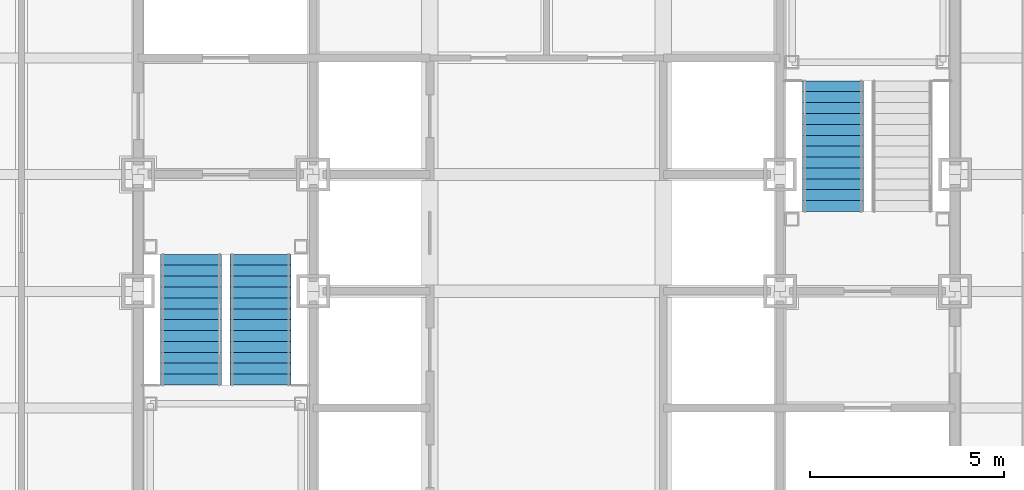
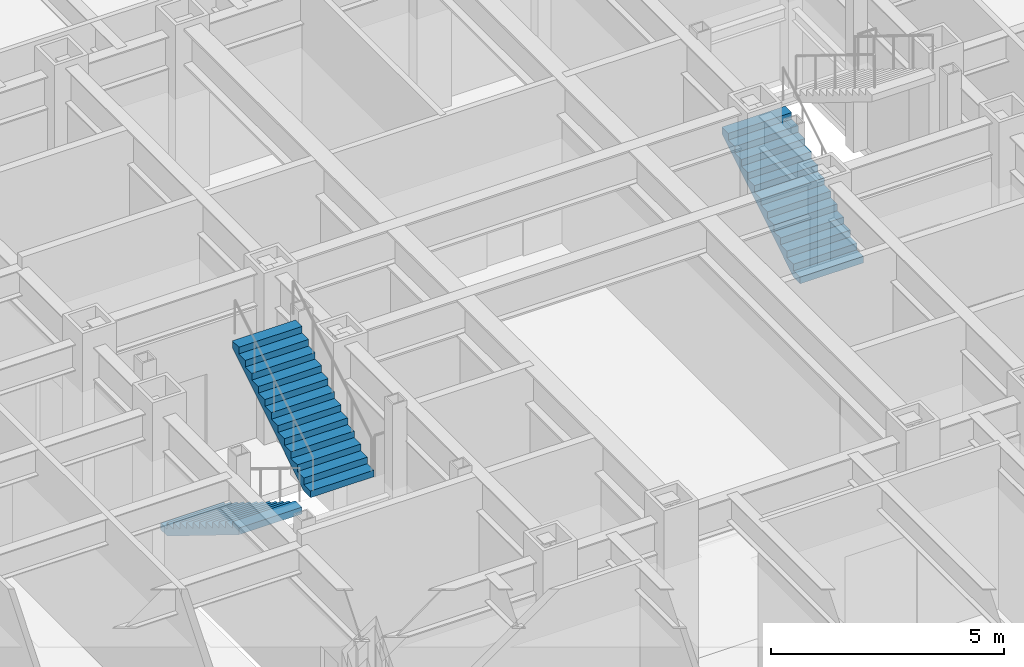
# One storey, part 12 of 17: 3 stair flights, 2 elements without a shape of their own.
"""IFC4 building model written with IfcOpenShell, lengths in metres."""

from ifc_helpers import new_model, si_unit, direction, frame, origin, place, context, subcontext, project, spatial, faceted_brep, material, type_object, element, aggregate, save


model = new_model("IFC4")

# Units and contexts
model_context = context("Model", 3, precision=1e-05, world=origin(), true_north=direction((0.0, 1.0)))
body_context = subcontext(model_context, "Body", "Model", "MODEL_VIEW")
ifc_project = project(units=[si_unit("LENGTHUNIT", "METRE"), si_unit("AREAUNIT", "SQUARE_METRE"), si_unit("VOLUMEUNIT", "CUBIC_METRE"), si_unit("PLANEANGLEUNIT", "RADIAN"), si_unit("MASSUNIT", "GRAM", prefix="KILO")], contexts=[model_context])

# Site, building, storey
site_placement = place(None, origin())
site = spatial("IfcSite", under=ifc_project, at=site_placement, CompositionType="ELEMENT")
building_placement = place(site_placement, origin())
building = spatial("IfcBuilding", under=site, at=building_placement, Name="Chuquiago Exchange Tower", CompositionType="ELEMENT")
storey_placement = place(building_placement, frame((0.0, 0.0, 64.800048828125)))
storey = spatial("IfcBuildingStorey", under=building, at=storey_placement, Name="L13", CompositionType="ELEMENT", Elevation=64.800048828125)

# Stair, stair flights
ifc_material_1 = material(Name="Concrete C30/37, precast", Category="concrete")
stair_type_1 = type_object("IfcStairType", Name="ST1 half-turn stair 4500", PredefinedType="HALF_TURN_STAIR", material=ifc_material_1)
stair_1_placement = place(storey_placement, origin())
stair_1 = element("IfcStair", 1, at=stair_1_placement, inside=storey, type_object=stair_type_1, Name="Stair ST1 L13", PredefinedType="HALF_TURN_STAIR")
ifc_material_2 = material(Name="Concrete C30/37, precast", Category="concrete")
stair_flight_type = type_object("IfcStairFlightType", Name="ST-F flight 1570 for 4500 storey", PredefinedType="STRAIGHT", material=ifc_material_2)
stair_flight_1_placement = place(storey_placement, frame((13.360107421875, 21.949951171875, 0.0), z_axis=(0.0, 0.0, 1.0), x_axis=(0.0, -1.0, 0.0)))
stair_flight_1 = element("IfcStairFlight", 2, at=stair_flight_1_placement, type_object=stair_flight_type, Name="ST1 flight 1", NumberOfRisers=13, NumberOfTreads=12, PredefinedType="STRAIGHT", RiserHeight=0.173076923, TreadLength=0.28, context=body_context, shape_type="Brep", body=[
    faceted_brep([(0.0, 0.78515625, 0.0), (0.0, 0.78515625, 0.173095703125), (0.280029296875, 0.78515625, 0.173095703125), (0.280029296875, 0.78515625, 0.34619140625), (0.56005859375, 0.78515625, 0.34619140625), (0.56005859375, 0.78515625, 0.519287109375), (0.840087890625, 0.78515625, 0.519287109375), (0.840087890625, 0.78515625, 0.6923828125), (1.1201171875, 0.78515625, 0.6923828125), (1.1201171875, 0.78515625, 0.865478515625), (1.39990234375, 0.78515625, 0.865478515625), (1.39990234375, 0.78515625, 1.03857421875), (1.679931640625, 0.78515625, 1.03857421875), (1.679931640625, 0.78515625, 1.21142578125), (1.9599609375, 0.78515625, 1.21142578125), (1.9599609375, 0.78515625, 1.384521484375), (2.239990234375, 0.78515625, 1.384521484375), (2.239990234375, 0.78515625, 1.5576171875), (2.52001953125, 0.78515625, 1.5576171875), (2.52001953125, 0.78515625, 1.730712890625), (2.800048828125, 0.78515625, 1.730712890625), (2.800048828125, 0.78515625, 1.90380859375), (3.080078125, 0.78515625, 1.90380859375), (3.080078125, 0.78515625, 2.076904296875), (3.360107421875, 0.78515625, 2.076904296875), (3.360107421875, 0.78515625, 1.900634765625), (0.28515625, 0.78515625, 0.0), (0.28515625, -0.78515625, 0.0), (3.360107421875, -0.78515625, 1.900634765625), (3.360107421875, -0.78515625, 2.076904296875), (3.080078125, -0.78515625, 2.076904296875), (3.080078125, -0.78515625, 1.90380859375), (2.800048828125, -0.78515625, 1.90380859375), (2.800048828125, -0.78515625, 1.730712890625), (2.52001953125, -0.78515625, 1.730712890625), (2.52001953125, -0.78515625, 1.5576171875), (2.239990234375, -0.78515625, 1.5576171875), (2.239990234375, -0.78515625, 1.384521484375), (1.9599609375, -0.78515625, 1.384521484375), (1.9599609375, -0.78515625, 1.21142578125), (1.679931640625, -0.78515625, 1.21142578125), (1.679931640625, -0.78515625, 1.03857421875), (1.39990234375, -0.78515625, 1.03857421875), (1.39990234375, -0.78515625, 0.865478515625), (1.1201171875, -0.78515625, 0.865478515625), (1.1201171875, -0.78515625, 0.6923828125), (0.840087890625, -0.78515625, 0.6923828125), (0.840087890625, -0.78515625, 0.519287109375), (0.56005859375, -0.78515625, 0.519287109375), (0.56005859375, -0.78515625, 0.34619140625), (0.280029296875, -0.78515625, 0.34619140625), (0.280029296875, -0.78515625, 0.173095703125), (0.0, -0.78515625, 0.173095703125), (0.0, -0.78515625, 0.0), (0.0, 0.392578125, 0.0), (0.0, 0.392578125, 0.173095703125), (0.0, 0.0, 0.0), (0.0, 0.0, 0.173095703125), (0.0, -0.392578125, 0.0), (0.0, -0.392578125, 0.173095703125), (0.280029296875, 0.392578125, 0.173095703125), (0.280029296875, 0.0, 0.173095703125), (0.280029296875, -0.392578125, 0.173095703125), (0.280029296875, 0.392578125, 0.34619140625), (0.280029296875, 0.0, 0.34619140625), (0.280029296875, -0.392578125, 0.34619140625), (0.56005859375, 0.392578125, 0.34619140625), (0.56005859375, 0.0, 0.34619140625), (0.56005859375, -0.392578125, 0.34619140625), (0.56005859375, 0.392578125, 0.519287109375), (0.56005859375, 0.0, 0.519287109375), (0.56005859375, -0.392578125, 0.519287109375), (0.840087890625, 0.392578125, 0.519287109375), (0.840087890625, 0.0, 0.519287109375), (0.840087890625, -0.392578125, 0.519287109375), (0.840087890625, 0.392578125, 0.6923828125), (0.840087890625, 0.0, 0.6923828125), (0.840087890625, -0.392578125, 0.6923828125), (1.1201171875, 0.392578125, 0.6923828125), (1.1201171875, 0.0, 0.6923828125), (1.1201171875, -0.392578125, 0.6923828125), (1.1201171875, 0.392578125, 0.865478515625), (1.1201171875, 0.0, 0.865478515625), (1.1201171875, -0.392578125, 0.865478515625), (1.39990234375, 0.392578125, 0.865478515625), (1.39990234375, 0.0, 0.865478515625), (1.39990234375, -0.392578125, 0.865478515625), (1.39990234375, 0.392578125, 1.03857421875), (1.39990234375, 0.0, 1.03857421875), (1.39990234375, -0.392578125, 1.03857421875), (1.679931640625, 0.392578125, 1.03857421875), (1.679931640625, 0.0, 1.03857421875), (1.679931640625, -0.392578125, 1.03857421875), (1.679931640625, 0.392578125, 1.21142578125), (1.679931640625, 0.0, 1.21142578125), (1.679931640625, -0.392578125, 1.21142578125), (1.9599609375, 0.392578125, 1.21142578125), (1.9599609375, 0.0, 1.21142578125), (1.9599609375, -0.392578125, 1.21142578125), (1.9599609375, 0.392578125, 1.384521484375), (1.9599609375, 0.0, 1.384521484375), (1.9599609375, -0.392578125, 1.384521484375), (2.239990234375, 0.392578125, 1.384521484375), (2.239990234375, 0.0, 1.384521484375), (2.239990234375, -0.392578125, 1.384521484375), (2.239990234375, 0.392578125, 1.5576171875), (2.239990234375, 0.0, 1.5576171875), (2.239990234375, -0.392578125, 1.5576171875), (2.52001953125, 0.392578125, 1.5576171875), (2.52001953125, 0.0, 1.5576171875), (2.52001953125, -0.392578125, 1.5576171875), (2.52001953125, 0.392578125, 1.730712890625), (2.52001953125, 0.0, 1.730712890625), (2.52001953125, -0.392578125, 1.730712890625), (2.800048828125, 0.392578125, 1.730712890625), (2.800048828125, 0.0, 1.730712890625), (2.800048828125, -0.392578125, 1.730712890625), (2.800048828125, 0.392578125, 1.90380859375), (2.800048828125, 0.0, 1.90380859375), (2.800048828125, -0.392578125, 1.90380859375), (3.080078125, 0.392578125, 1.90380859375), (3.080078125, 0.0, 1.90380859375), (3.080078125, -0.392578125, 1.90380859375), (3.080078125, 0.392578125, 2.076904296875), (3.080078125, 0.0, 2.076904296875), (3.080078125, -0.392578125, 2.076904296875), (3.360107421875, 0.392578125, 2.076904296875), (3.360107421875, 0.0, 2.076904296875), (3.360107421875, -0.392578125, 2.076904296875), (3.360107421875, 0.392578125, 1.900634765625), (3.360107421875, 0.0, 1.900634765625), (3.360107421875, -0.392578125, 1.900634765625), (0.28515625, 0.392578125, 0.0), (0.28515625, 0.0, 0.0), (0.28515625, -0.392578125, 0.0)], [[[0, 1, 2, 3, 4, 5, 6, 7, 8, 9, 10, 11, 12, 13, 14, 15, 16, 17, 18, 19, 20, 21, 22, 23, 24, 25, 26]], [[27, 28, 29, 30, 31, 32, 33, 34, 35, 36, 37, 38, 39, 40, 41, 42, 43, 44, 45, 46, 47, 48, 49, 50, 51, 52, 53]], [[1, 0, 54, 55]], [[55, 54, 56, 57]], [[57, 56, 58, 59]], [[59, 58, 53, 52]], [[2, 1, 55, 60]], [[60, 55, 57, 61]], [[61, 57, 59, 62]], [[62, 59, 52, 51]], [[3, 2, 60, 63]], [[63, 60, 61, 64]], [[64, 61, 62, 65]], [[65, 62, 51, 50]], [[4, 3, 63, 66]], [[66, 63, 64, 67]], [[67, 64, 65, 68]], [[68, 65, 50, 49]], [[5, 4, 66, 69]], [[69, 66, 67, 70]], [[70, 67, 68, 71]], [[71, 68, 49, 48]], [[6, 5, 69, 72]], [[72, 69, 70, 73]], [[73, 70, 71, 74]], [[74, 71, 48, 47]], [[7, 6, 72, 75]], [[75, 72, 73, 76]], [[76, 73, 74, 77]], [[77, 74, 47, 46]], [[8, 7, 75, 78]], [[78, 75, 76, 79]], [[79, 76, 77, 80]], [[80, 77, 46, 45]], [[9, 8, 78, 81]], [[81, 78, 79, 82]], [[82, 79, 80, 83]], [[83, 80, 45, 44]], [[10, 9, 81, 84]], [[84, 81, 82, 85]], [[85, 82, 83, 86]], [[86, 83, 44, 43]], [[11, 10, 84, 87]], [[87, 84, 85, 88]], [[88, 85, 86, 89]], [[89, 86, 43, 42]], [[12, 11, 87, 90]], [[90, 87, 88, 91]], [[91, 88, 89, 92]], [[92, 89, 42, 41]], [[13, 12, 90, 93]], [[93, 90, 91, 94]], [[94, 91, 92, 95]], [[95, 92, 41, 40]], [[14, 13, 93, 96]], [[96, 93, 94, 97]], [[97, 94, 95, 98]], [[98, 95, 40, 39]], [[15, 14, 96, 99]], [[99, 96, 97, 100]], [[100, 97, 98, 101]], [[101, 98, 39, 38]], [[16, 15, 99, 102]], [[102, 99, 100, 103]], [[103, 100, 101, 104]], [[104, 101, 38, 37]], [[17, 16, 102, 105]], [[105, 102, 103, 106]], [[106, 103, 104, 107]], [[107, 104, 37, 36]], [[18, 17, 105, 108]], [[108, 105, 106, 109]], [[109, 106, 107, 110]], [[110, 107, 36, 35]], [[19, 18, 108, 111]], [[111, 108, 109, 112]], [[112, 109, 110, 113]], [[113, 110, 35, 34]], [[20, 19, 111, 114]], [[114, 111, 112, 115]], [[115, 112, 113, 116]], [[116, 113, 34, 33]], [[21, 20, 114, 117]], [[117, 114, 115, 118]], [[118, 115, 116, 119]], [[119, 116, 33, 32]], [[22, 21, 117, 120]], [[120, 117, 118, 121]], [[121, 118, 119, 122]], [[122, 119, 32, 31]], [[23, 22, 120, 123]], [[123, 120, 121, 124]], [[124, 121, 122, 125]], [[125, 122, 31, 30]], [[24, 23, 123, 126]], [[126, 123, 124, 127]], [[127, 124, 125, 128]], [[128, 125, 30, 29]], [[25, 24, 126, 129]], [[129, 126, 127, 130]], [[130, 127, 128, 131]], [[131, 128, 29, 28]], [[26, 25, 129, 132]], [[132, 129, 130, 133]], [[133, 130, 131, 134]], [[134, 131, 28, 27]], [[0, 26, 132, 54]], [[54, 132, 133, 56]], [[56, 133, 134, 58]], [[58, 134, 27, 53]]]),
])
stair_flight_2_placement = place(storey_placement, frame((15.139892578125, 18.590087890625, 2.25), z_axis=(0.0, 0.0, 1.0), x_axis=(0.0, 1.0, 0.0)))
stair_flight_2 = element("IfcStairFlight", 3, at=stair_flight_2_placement, type_object=stair_flight_type, Name="ST1 flight 2", NumberOfRisers=13, NumberOfTreads=12, PredefinedType="STRAIGHT", RiserHeight=0.173076923, TreadLength=0.28, context=body_context, shape_type="Brep", body=[
    faceted_brep([(0.0, 0.78515625, 0.0), (0.0, 0.78515625, 0.173095703125), (0.280029296875, 0.78515625, 0.173095703125), (0.280029296875, 0.78515625, 0.34619140625), (0.56005859375, 0.78515625, 0.34619140625), (0.56005859375, 0.78515625, 0.519287109375), (0.840087890625, 0.78515625, 0.519287109375), (0.840087890625, 0.78515625, 0.6923828125), (1.1201171875, 0.78515625, 0.6923828125), (1.1201171875, 0.78515625, 0.865478515625), (1.39990234375, 0.78515625, 0.865478515625), (1.39990234375, 0.78515625, 1.03857421875), (1.679931640625, 0.78515625, 1.03857421875), (1.679931640625, 0.78515625, 1.21142578125), (1.9599609375, 0.78515625, 1.21142578125), (1.9599609375, 0.78515625, 1.384521484375), (2.239990234375, 0.78515625, 1.384521484375), (2.239990234375, 0.78515625, 1.5576171875), (2.52001953125, 0.78515625, 1.5576171875), (2.52001953125, 0.78515625, 1.730712890625), (2.800048828125, 0.78515625, 1.730712890625), (2.800048828125, 0.78515625, 1.90380859375), (3.080078125, 0.78515625, 1.90380859375), (3.080078125, 0.78515625, 2.076904296875), (3.360107421875, 0.78515625, 2.076904296875), (3.360107421875, 0.78515625, 1.900634765625), (0.28515625, 0.78515625, 0.0), (0.28515625, -0.78515625, 0.0), (3.360107421875, -0.78515625, 1.900634765625), (3.360107421875, -0.78515625, 2.076904296875), (3.080078125, -0.78515625, 2.076904296875), (3.080078125, -0.78515625, 1.90380859375), (2.800048828125, -0.78515625, 1.90380859375), (2.800048828125, -0.78515625, 1.730712890625), (2.52001953125, -0.78515625, 1.730712890625), (2.52001953125, -0.78515625, 1.5576171875), (2.239990234375, -0.78515625, 1.5576171875), (2.239990234375, -0.78515625, 1.384521484375), (1.9599609375, -0.78515625, 1.384521484375), (1.9599609375, -0.78515625, 1.21142578125), (1.679931640625, -0.78515625, 1.21142578125), (1.679931640625, -0.78515625, 1.03857421875), (1.39990234375, -0.78515625, 1.03857421875), (1.39990234375, -0.78515625, 0.865478515625), (1.1201171875, -0.78515625, 0.865478515625), (1.1201171875, -0.78515625, 0.6923828125), (0.840087890625, -0.78515625, 0.6923828125), (0.840087890625, -0.78515625, 0.519287109375), (0.56005859375, -0.78515625, 0.519287109375), (0.56005859375, -0.78515625, 0.34619140625), (0.280029296875, -0.78515625, 0.34619140625), (0.280029296875, -0.78515625, 0.173095703125), (0.0, -0.78515625, 0.173095703125), (0.0, -0.78515625, 0.0), (0.0, 0.392578125, 0.0), (0.0, 0.392578125, 0.173095703125), (0.0, 0.0, 0.0), (0.0, 0.0, 0.173095703125), (0.0, -0.392578125, 0.0), (0.0, -0.392578125, 0.173095703125), (0.280029296875, 0.392578125, 0.173095703125), (0.280029296875, 0.0, 0.173095703125), (0.280029296875, -0.392578125, 0.173095703125), (0.280029296875, 0.392578125, 0.34619140625), (0.280029296875, 0.0, 0.34619140625), (0.280029296875, -0.392578125, 0.34619140625), (0.56005859375, 0.392578125, 0.34619140625), (0.56005859375, 0.0, 0.34619140625), (0.56005859375, -0.392578125, 0.34619140625), (0.56005859375, 0.392578125, 0.519287109375), (0.56005859375, 0.0, 0.519287109375), (0.56005859375, -0.392578125, 0.519287109375), (0.840087890625, 0.392578125, 0.519287109375), (0.840087890625, 0.0, 0.519287109375), (0.840087890625, -0.392578125, 0.519287109375), (0.840087890625, 0.392578125, 0.6923828125), (0.840087890625, 0.0, 0.6923828125), (0.840087890625, -0.392578125, 0.6923828125), (1.1201171875, 0.392578125, 0.6923828125), (1.1201171875, 0.0, 0.6923828125), (1.1201171875, -0.392578125, 0.6923828125), (1.1201171875, 0.392578125, 0.865478515625), (1.1201171875, 0.0, 0.865478515625), (1.1201171875, -0.392578125, 0.865478515625), (1.39990234375, 0.392578125, 0.865478515625), (1.39990234375, 0.0, 0.865478515625), (1.39990234375, -0.392578125, 0.865478515625), (1.39990234375, 0.392578125, 1.03857421875), (1.39990234375, 0.0, 1.03857421875), (1.39990234375, -0.392578125, 1.03857421875), (1.679931640625, 0.392578125, 1.03857421875), (1.679931640625, 0.0, 1.03857421875), (1.679931640625, -0.392578125, 1.03857421875), (1.679931640625, 0.392578125, 1.21142578125), (1.679931640625, 0.0, 1.21142578125), (1.679931640625, -0.392578125, 1.21142578125), (1.9599609375, 0.392578125, 1.21142578125), (1.9599609375, 0.0, 1.21142578125), (1.9599609375, -0.392578125, 1.21142578125), (1.9599609375, 0.392578125, 1.384521484375), (1.9599609375, 0.0, 1.384521484375), (1.9599609375, -0.392578125, 1.384521484375), (2.239990234375, 0.392578125, 1.384521484375), (2.239990234375, 0.0, 1.384521484375), (2.239990234375, -0.392578125, 1.384521484375), (2.239990234375, 0.392578125, 1.5576171875), (2.239990234375, 0.0, 1.5576171875), (2.239990234375, -0.392578125, 1.5576171875), (2.52001953125, 0.392578125, 1.5576171875), (2.52001953125, 0.0, 1.5576171875), (2.52001953125, -0.392578125, 1.5576171875), (2.52001953125, 0.392578125, 1.730712890625), (2.52001953125, 0.0, 1.730712890625), (2.52001953125, -0.392578125, 1.730712890625), (2.800048828125, 0.392578125, 1.730712890625), (2.800048828125, 0.0, 1.730712890625), (2.800048828125, -0.392578125, 1.730712890625), (2.800048828125, 0.392578125, 1.90380859375), (2.800048828125, 0.0, 1.90380859375), (2.800048828125, -0.392578125, 1.90380859375), (3.080078125, 0.392578125, 1.90380859375), (3.080078125, 0.0, 1.90380859375), (3.080078125, -0.392578125, 1.90380859375), (3.080078125, 0.392578125, 2.076904296875), (3.080078125, 0.0, 2.076904296875), (3.080078125, -0.392578125, 2.076904296875), (3.360107421875, 0.392578125, 2.076904296875), (3.360107421875, 0.0, 2.076904296875), (3.360107421875, -0.392578125, 2.076904296875), (3.360107421875, 0.392578125, 1.900634765625), (3.360107421875, 0.0, 1.900634765625), (3.360107421875, -0.392578125, 1.900634765625), (0.28515625, 0.392578125, 0.0), (0.28515625, 0.0, 0.0), (0.28515625, -0.392578125, 0.0)], [[[0, 1, 2, 3, 4, 5, 6, 7, 8, 9, 10, 11, 12, 13, 14, 15, 16, 17, 18, 19, 20, 21, 22, 23, 24, 25, 26]], [[27, 28, 29, 30, 31, 32, 33, 34, 35, 36, 37, 38, 39, 40, 41, 42, 43, 44, 45, 46, 47, 48, 49, 50, 51, 52, 53]], [[1, 0, 54, 55]], [[55, 54, 56, 57]], [[57, 56, 58, 59]], [[59, 58, 53, 52]], [[2, 1, 55, 60]], [[60, 55, 57, 61]], [[61, 57, 59, 62]], [[62, 59, 52, 51]], [[3, 2, 60, 63]], [[63, 60, 61, 64]], [[64, 61, 62, 65]], [[65, 62, 51, 50]], [[4, 3, 63, 66]], [[66, 63, 64, 67]], [[67, 64, 65, 68]], [[68, 65, 50, 49]], [[5, 4, 66, 69]], [[69, 66, 67, 70]], [[70, 67, 68, 71]], [[71, 68, 49, 48]], [[6, 5, 69, 72]], [[72, 69, 70, 73]], [[73, 70, 71, 74]], [[74, 71, 48, 47]], [[7, 6, 72, 75]], [[75, 72, 73, 76]], [[76, 73, 74, 77]], [[77, 74, 47, 46]], [[8, 7, 75, 78]], [[78, 75, 76, 79]], [[79, 76, 77, 80]], [[80, 77, 46, 45]], [[9, 8, 78, 81]], [[81, 78, 79, 82]], [[82, 79, 80, 83]], [[83, 80, 45, 44]], [[10, 9, 81, 84]], [[84, 81, 82, 85]], [[85, 82, 83, 86]], [[86, 83, 44, 43]], [[11, 10, 84, 87]], [[87, 84, 85, 88]], [[88, 85, 86, 89]], [[89, 86, 43, 42]], [[12, 11, 87, 90]], [[90, 87, 88, 91]], [[91, 88, 89, 92]], [[92, 89, 42, 41]], [[13, 12, 90, 93]], [[93, 90, 91, 94]], [[94, 91, 92, 95]], [[95, 92, 41, 40]], [[14, 13, 93, 96]], [[96, 93, 94, 97]], [[97, 94, 95, 98]], [[98, 95, 40, 39]], [[15, 14, 96, 99]], [[99, 96, 97, 100]], [[100, 97, 98, 101]], [[101, 98, 39, 38]], [[16, 15, 99, 102]], [[102, 99, 100, 103]], [[103, 100, 101, 104]], [[104, 101, 38, 37]], [[17, 16, 102, 105]], [[105, 102, 103, 106]], [[106, 103, 104, 107]], [[107, 104, 37, 36]], [[18, 17, 105, 108]], [[108, 105, 106, 109]], [[109, 106, 107, 110]], [[110, 107, 36, 35]], [[19, 18, 108, 111]], [[111, 108, 109, 112]], [[112, 109, 110, 113]], [[113, 110, 35, 34]], [[20, 19, 111, 114]], [[114, 111, 112, 115]], [[115, 112, 113, 116]], [[116, 113, 34, 33]], [[21, 20, 114, 117]], [[117, 114, 115, 118]], [[118, 115, 116, 119]], [[119, 116, 33, 32]], [[22, 21, 117, 120]], [[120, 117, 118, 121]], [[121, 118, 119, 122]], [[122, 119, 32, 31]], [[23, 22, 120, 123]], [[123, 120, 121, 124]], [[124, 121, 122, 125]], [[125, 122, 31, 30]], [[24, 23, 123, 126]], [[126, 123, 124, 127]], [[127, 124, 125, 128]], [[128, 125, 30, 29]], [[25, 24, 126, 129]], [[129, 126, 127, 130]], [[130, 127, 128, 131]], [[131, 128, 29, 28]], [[26, 25, 129, 132]], [[132, 129, 130, 133]], [[133, 130, 131, 134]], [[134, 131, 28, 27]], [[0, 26, 132, 54]], [[54, 132, 133, 56]], [[56, 133, 134, 58]], [[58, 134, 27, 53]]]),
])
aggregate(stair_1, [stair_flight_1, stair_flight_2])

# Stair, stair flight
ifc_material_3 = material(Name="Concrete C30/37, precast", Category="concrete")
stair_type_2 = type_object("IfcStairType", Name="ST2 half-turn stair 4500", PredefinedType="HALF_TURN_STAIR", material=ifc_material_3)
stair_2_placement = place(storey_placement, origin())
stair_2 = element("IfcStair", 4, at=stair_2_placement, inside=storey, type_object=stair_type_2, Name="Stair ST2 L13", PredefinedType="HALF_TURN_STAIR")
stair_flight_3_placement = place(storey_placement, frame((29.860107421875, 23.050048828125, 0.0), z_axis=(0.0, 0.0, 1.0), x_axis=(0.0, 1.0, 0.0)))
stair_flight_3 = element("IfcStairFlight", 5, at=stair_flight_3_placement, type_object=stair_flight_type, Name="ST2 flight 1", NumberOfRisers=13, NumberOfTreads=12, PredefinedType="STRAIGHT", RiserHeight=0.173076923, TreadLength=0.28, context=body_context, shape_type="Brep", body=[
    faceted_brep([(0.0, 0.78515625, 0.0), (0.0, 0.78515625, 0.173095703125), (0.280029296875, 0.78515625, 0.173095703125), (0.280029296875, 0.78515625, 0.34619140625), (0.56005859375, 0.78515625, 0.34619140625), (0.56005859375, 0.78515625, 0.519287109375), (0.840087890625, 0.78515625, 0.519287109375), (0.840087890625, 0.78515625, 0.6923828125), (1.1201171875, 0.78515625, 0.6923828125), (1.1201171875, 0.78515625, 0.865478515625), (1.39990234375, 0.78515625, 0.865478515625), (1.39990234375, 0.78515625, 1.03857421875), (1.679931640625, 0.78515625, 1.03857421875), (1.679931640625, 0.78515625, 1.21142578125), (1.9599609375, 0.78515625, 1.21142578125), (1.9599609375, 0.78515625, 1.384521484375), (2.239990234375, 0.78515625, 1.384521484375), (2.239990234375, 0.78515625, 1.5576171875), (2.52001953125, 0.78515625, 1.5576171875), (2.52001953125, 0.78515625, 1.730712890625), (2.800048828125, 0.78515625, 1.730712890625), (2.800048828125, 0.78515625, 1.90380859375), (3.080078125, 0.78515625, 1.90380859375), (3.080078125, 0.78515625, 2.076904296875), (3.360107421875, 0.78515625, 2.076904296875), (3.360107421875, 0.78515625, 1.900634765625), (0.28515625, 0.78515625, 0.0), (0.28515625, -0.78515625, 0.0), (3.360107421875, -0.78515625, 1.900634765625), (3.360107421875, -0.78515625, 2.076904296875), (3.080078125, -0.78515625, 2.076904296875), (3.080078125, -0.78515625, 1.90380859375), (2.800048828125, -0.78515625, 1.90380859375), (2.800048828125, -0.78515625, 1.730712890625), (2.52001953125, -0.78515625, 1.730712890625), (2.52001953125, -0.78515625, 1.5576171875), (2.239990234375, -0.78515625, 1.5576171875), (2.239990234375, -0.78515625, 1.384521484375), (1.9599609375, -0.78515625, 1.384521484375), (1.9599609375, -0.78515625, 1.21142578125), (1.679931640625, -0.78515625, 1.21142578125), (1.679931640625, -0.78515625, 1.03857421875), (1.39990234375, -0.78515625, 1.03857421875), (1.39990234375, -0.78515625, 0.865478515625), (1.1201171875, -0.78515625, 0.865478515625), (1.1201171875, -0.78515625, 0.6923828125), (0.840087890625, -0.78515625, 0.6923828125), (0.840087890625, -0.78515625, 0.519287109375), (0.56005859375, -0.78515625, 0.519287109375), (0.56005859375, -0.78515625, 0.34619140625), (0.280029296875, -0.78515625, 0.34619140625), (0.280029296875, -0.78515625, 0.173095703125), (0.0, -0.78515625, 0.173095703125), (0.0, -0.78515625, 0.0), (0.0, 0.392578125, 0.0), (0.0, 0.392578125, 0.173095703125), (0.0, 0.0, 0.0), (0.0, 0.0, 0.173095703125), (0.0, -0.392578125, 0.0), (0.0, -0.392578125, 0.173095703125), (0.280029296875, 0.392578125, 0.173095703125), (0.280029296875, 0.0, 0.173095703125), (0.280029296875, -0.392578125, 0.173095703125), (0.280029296875, 0.392578125, 0.34619140625), (0.280029296875, 0.0, 0.34619140625), (0.280029296875, -0.392578125, 0.34619140625), (0.56005859375, 0.392578125, 0.34619140625), (0.56005859375, 0.0, 0.34619140625), (0.56005859375, -0.392578125, 0.34619140625), (0.56005859375, 0.392578125, 0.519287109375), (0.56005859375, 0.0, 0.519287109375), (0.56005859375, -0.392578125, 0.519287109375), (0.840087890625, 0.392578125, 0.519287109375), (0.840087890625, 0.0, 0.519287109375), (0.840087890625, -0.392578125, 0.519287109375), (0.840087890625, 0.392578125, 0.6923828125), (0.840087890625, 0.0, 0.6923828125), (0.840087890625, -0.392578125, 0.6923828125), (1.1201171875, 0.392578125, 0.6923828125), (1.1201171875, 0.0, 0.6923828125), (1.1201171875, -0.392578125, 0.6923828125), (1.1201171875, 0.392578125, 0.865478515625), (1.1201171875, 0.0, 0.865478515625), (1.1201171875, -0.392578125, 0.865478515625), (1.39990234375, 0.392578125, 0.865478515625), (1.39990234375, 0.0, 0.865478515625), (1.39990234375, -0.392578125, 0.865478515625), (1.39990234375, 0.392578125, 1.03857421875), (1.39990234375, 0.0, 1.03857421875), (1.39990234375, -0.392578125, 1.03857421875), (1.679931640625, 0.392578125, 1.03857421875), (1.679931640625, 0.0, 1.03857421875), (1.679931640625, -0.392578125, 1.03857421875), (1.679931640625, 0.392578125, 1.21142578125), (1.679931640625, 0.0, 1.21142578125), (1.679931640625, -0.392578125, 1.21142578125), (1.9599609375, 0.392578125, 1.21142578125), (1.9599609375, 0.0, 1.21142578125), (1.9599609375, -0.392578125, 1.21142578125), (1.9599609375, 0.392578125, 1.384521484375), (1.9599609375, 0.0, 1.384521484375), (1.9599609375, -0.392578125, 1.384521484375), (2.239990234375, 0.392578125, 1.384521484375), (2.239990234375, 0.0, 1.384521484375), (2.239990234375, -0.392578125, 1.384521484375), (2.239990234375, 0.392578125, 1.5576171875), (2.239990234375, 0.0, 1.5576171875), (2.239990234375, -0.392578125, 1.5576171875), (2.52001953125, 0.392578125, 1.5576171875), (2.52001953125, 0.0, 1.5576171875), (2.52001953125, -0.392578125, 1.5576171875), (2.52001953125, 0.392578125, 1.730712890625), (2.52001953125, 0.0, 1.730712890625), (2.52001953125, -0.392578125, 1.730712890625), (2.800048828125, 0.392578125, 1.730712890625), (2.800048828125, 0.0, 1.730712890625), (2.800048828125, -0.392578125, 1.730712890625), (2.800048828125, 0.392578125, 1.90380859375), (2.800048828125, 0.0, 1.90380859375), (2.800048828125, -0.392578125, 1.90380859375), (3.080078125, 0.392578125, 1.90380859375), (3.080078125, 0.0, 1.90380859375), (3.080078125, -0.392578125, 1.90380859375), (3.080078125, 0.392578125, 2.076904296875), (3.080078125, 0.0, 2.076904296875), (3.080078125, -0.392578125, 2.076904296875), (3.360107421875, 0.392578125, 2.076904296875), (3.360107421875, 0.0, 2.076904296875), (3.360107421875, -0.392578125, 2.076904296875), (3.360107421875, 0.392578125, 1.900634765625), (3.360107421875, 0.0, 1.900634765625), (3.360107421875, -0.392578125, 1.900634765625), (0.28515625, 0.392578125, 0.0), (0.28515625, 0.0, 0.0), (0.28515625, -0.392578125, 0.0)], [[[0, 1, 2, 3, 4, 5, 6, 7, 8, 9, 10, 11, 12, 13, 14, 15, 16, 17, 18, 19, 20, 21, 22, 23, 24, 25, 26]], [[27, 28, 29, 30, 31, 32, 33, 34, 35, 36, 37, 38, 39, 40, 41, 42, 43, 44, 45, 46, 47, 48, 49, 50, 51, 52, 53]], [[1, 0, 54, 55]], [[55, 54, 56, 57]], [[57, 56, 58, 59]], [[59, 58, 53, 52]], [[2, 1, 55, 60]], [[60, 55, 57, 61]], [[61, 57, 59, 62]], [[62, 59, 52, 51]], [[3, 2, 60, 63]], [[63, 60, 61, 64]], [[64, 61, 62, 65]], [[65, 62, 51, 50]], [[4, 3, 63, 66]], [[66, 63, 64, 67]], [[67, 64, 65, 68]], [[68, 65, 50, 49]], [[5, 4, 66, 69]], [[69, 66, 67, 70]], [[70, 67, 68, 71]], [[71, 68, 49, 48]], [[6, 5, 69, 72]], [[72, 69, 70, 73]], [[73, 70, 71, 74]], [[74, 71, 48, 47]], [[7, 6, 72, 75]], [[75, 72, 73, 76]], [[76, 73, 74, 77]], [[77, 74, 47, 46]], [[8, 7, 75, 78]], [[78, 75, 76, 79]], [[79, 76, 77, 80]], [[80, 77, 46, 45]], [[9, 8, 78, 81]], [[81, 78, 79, 82]], [[82, 79, 80, 83]], [[83, 80, 45, 44]], [[10, 9, 81, 84]], [[84, 81, 82, 85]], [[85, 82, 83, 86]], [[86, 83, 44, 43]], [[11, 10, 84, 87]], [[87, 84, 85, 88]], [[88, 85, 86, 89]], [[89, 86, 43, 42]], [[12, 11, 87, 90]], [[90, 87, 88, 91]], [[91, 88, 89, 92]], [[92, 89, 42, 41]], [[13, 12, 90, 93]], [[93, 90, 91, 94]], [[94, 91, 92, 95]], [[95, 92, 41, 40]], [[14, 13, 93, 96]], [[96, 93, 94, 97]], [[97, 94, 95, 98]], [[98, 95, 40, 39]], [[15, 14, 96, 99]], [[99, 96, 97, 100]], [[100, 97, 98, 101]], [[101, 98, 39, 38]], [[16, 15, 99, 102]], [[102, 99, 100, 103]], [[103, 100, 101, 104]], [[104, 101, 38, 37]], [[17, 16, 102, 105]], [[105, 102, 103, 106]], [[106, 103, 104, 107]], [[107, 104, 37, 36]], [[18, 17, 105, 108]], [[108, 105, 106, 109]], [[109, 106, 107, 110]], [[110, 107, 36, 35]], [[19, 18, 108, 111]], [[111, 108, 109, 112]], [[112, 109, 110, 113]], [[113, 110, 35, 34]], [[20, 19, 111, 114]], [[114, 111, 112, 115]], [[115, 112, 113, 116]], [[116, 113, 34, 33]], [[21, 20, 114, 117]], [[117, 114, 115, 118]], [[118, 115, 116, 119]], [[119, 116, 33, 32]], [[22, 21, 117, 120]], [[120, 117, 118, 121]], [[121, 118, 119, 122]], [[122, 119, 32, 31]], [[23, 22, 120, 123]], [[123, 120, 121, 124]], [[124, 121, 122, 125]], [[125, 122, 31, 30]], [[24, 23, 123, 126]], [[126, 123, 124, 127]], [[127, 124, 125, 128]], [[128, 125, 30, 29]], [[25, 24, 126, 129]], [[129, 126, 127, 130]], [[130, 127, 128, 131]], [[131, 128, 29, 28]], [[26, 25, 129, 132]], [[132, 129, 130, 133]], [[133, 130, 131, 134]], [[134, 131, 28, 27]], [[0, 26, 132, 54]], [[54, 132, 133, 56]], [[56, 133, 134, 58]], [[58, 134, 27, 53]]]),
])
aggregate(stair_2, [stair_flight_3])

save(model, "model.ifc")
